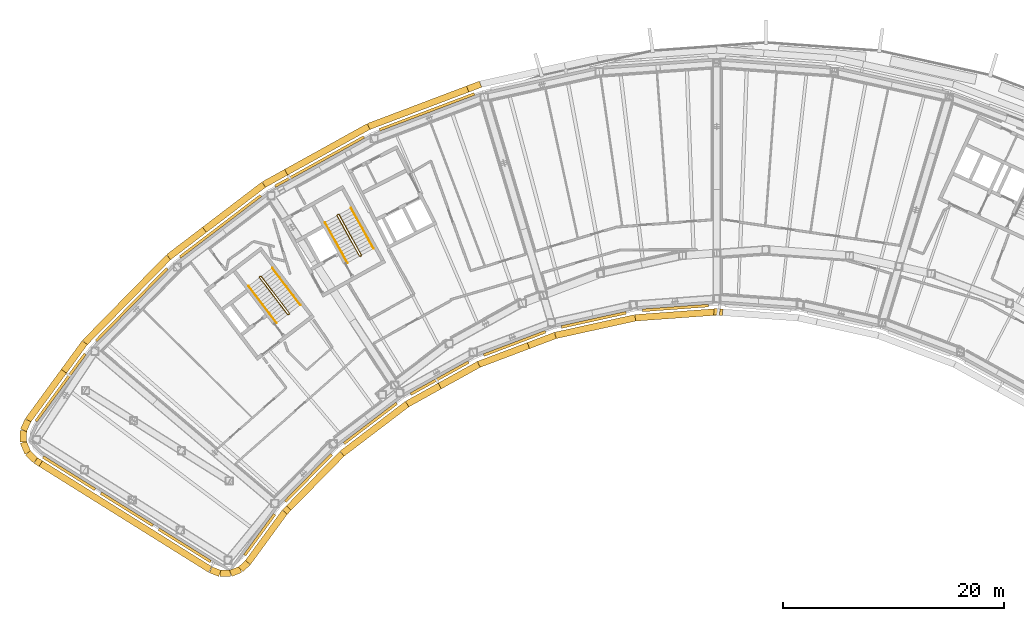
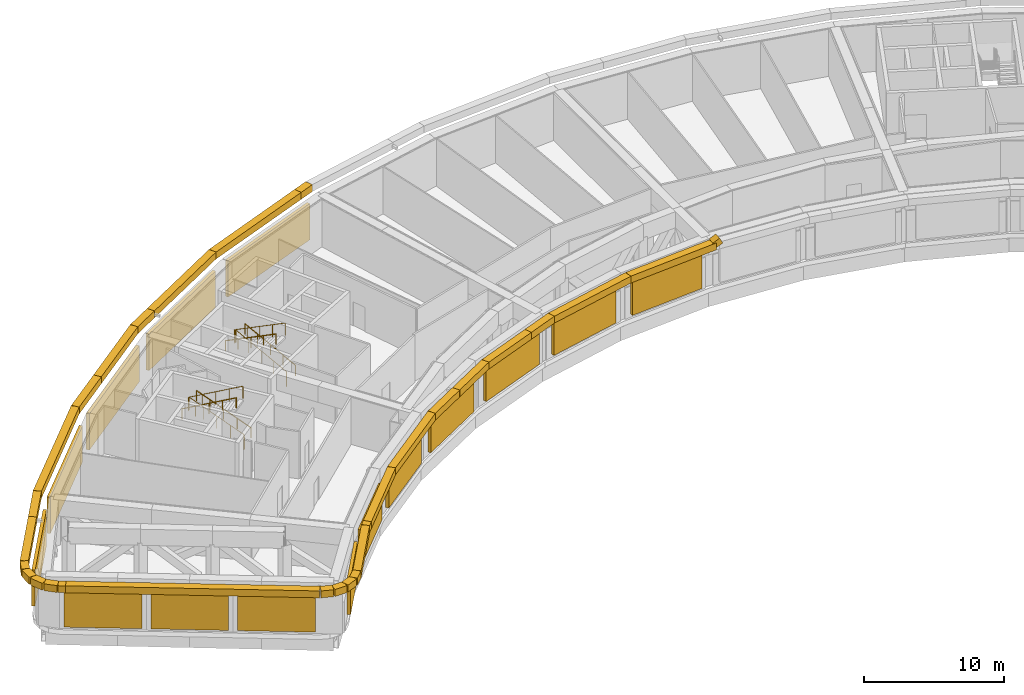
# One storey, part 21 of 25: 30 coverings, 15 shading devices, 6 railings.
"""IFC4 building model written with IfcOpenShell, lengths in metres."""

from ifc_helpers import new_model, si_unit, direction, frame, origin, origin_2d, place, context, subcontext, project, spatial, rectangle, circle, extrude, material, material_profile, profile_set, type_object, element, save


model = new_model("IFC4")

# Units and contexts
model_context = context("Model", 3, precision=1e-05, world=origin(), true_north=direction((0.0, 1.0)))
body_context = subcontext(model_context, "Body", "Model", "MODEL_VIEW")
ifc_project = project(units=[si_unit("LENGTHUNIT", "METRE"), si_unit("AREAUNIT", "SQUARE_METRE"), si_unit("VOLUMEUNIT", "CUBIC_METRE"), si_unit("PLANEANGLEUNIT", "RADIAN"), si_unit("MASSUNIT", "GRAM", prefix="KILO")], contexts=[model_context])

# Site, building, storey
site_placement = place(None, origin())
site = spatial("IfcSite", under=ifc_project, at=site_placement, CompositionType="ELEMENT")
building_placement = place(site_placement, origin())
building = spatial("IfcBuilding", under=site, at=building_placement, Name="Tuul Gate Civic Tower", CompositionType="ELEMENT")
storey_placement = place(building_placement, frame((0.0, 0.0, 133.699951171875)))
storey = spatial("IfcBuildingStorey", under=building, at=storey_placement, Name="Plant and refuge floor 4", CompositionType="ELEMENT", Elevation=133.699951171875)

# Shading devices
ifc_material_1 = material(Name="Aluminium louvre", Category="aluminium")
shading_device_type = type_object("IfcShadingDeviceType", Name="Louvre panel", PredefinedType="USERDEFINED", material=ifc_material_1)
for number, where, z_axis, x_axis, name in (
    (1, (-20.899169921875, 4.81201171875, 0.300048828125), (0.0, 0.0, 1.0), (-0.35373363489, 0.935346200905, 0.0), "Louvre panel"),
    (2, (-30.6376953125, 0.30029296875, 0.300048828125), (0.0, 0.0, 1.0), (-0.48478912347, 0.874631068374, 0.0), "Louvre panel"),
    (3, (-39.624267578125, -5.567626953125, 0.300048828125), (0.0, 0.0, 1.0), (-0.605807600786, 0.795611180684, 0.0), "Louvre panel"),
    (4, (-47.671142578125, -12.6689453125, 0.300048828125), (0.0, 0.0, 1.0), (-0.714100212908, 0.700043488595, 0.0), "Louvre panel"),
):
    element("IfcShadingDevice", number, at=place(storey_placement, frame(where, z_axis=z_axis, x_axis=x_axis)), inside=storey, type_object=shading_device_type, Name=name, ObjectType="LOUVRE", PredefinedType="USERDEFINED", context=body_context, shape_type="SweptSolid", body=[
        extrude(rectangle(XDim=0.25, YDim=9.199951171875, at=origin_2d()), origin(), (0.0, 0.0, 1.0), 3.14990234375),
    ])
shading_device_1_placement = place(storey_placement, frame((-54.112548828125, -20.174072265625, 0.300048828125), z_axis=(0.0, 0.0, 1.0), x_axis=(-0.807578487079, 0.589760109881, 0.0)))
element("IfcShadingDevice", 5, at=shading_device_1_placement, inside=storey, type_object=shading_device_type, Name="Louvre panel", ObjectType="LOUVRE", PredefinedType="USERDEFINED", context=body_context, shape_type="SweptSolid", body=[
    extrude(rectangle(XDim=0.25, YDim=7.550048828125, at=origin_2d()), origin(), (0.0, 0.0, 1.0), 3.14990234375),
])
for number, where, z_axis, x_axis, name in (
    (6, (-53.34765625, -27.944091796875, 0.300048828125), (0.0, 0.0, 1.0), (-0.529911707044, -0.848052818366, 0.0), "Louvre panel"),
    (7, (-48.104248046875, -31.220458984375, 0.300048828125), (0.0, 0.0, 1.0), (-0.529911707044, -0.848052818366, 0.0), "Louvre panel"),
    (8, (-42.86083984375, -34.496826171875, 0.300048828125), (0.0, 0.0, 1.0), (-0.529911707044, -0.848052818366, 0.0), "Louvre panel"),
):
    element("IfcShadingDevice", number, at=place(storey_placement, frame(where, z_axis=z_axis, x_axis=x_axis)), inside=storey, type_object=shading_device_type, Name=name, ObjectType="LOUVRE", PredefinedType="USERDEFINED", context=body_context, shape_type="SweptSolid", body=[
        extrude(rectangle(XDim=0.25, YDim=5.550048828125, at=origin_2d()), origin(), (0.0, 0.0, 1.0), 3.14990234375),
    ])
shading_device_2_placement = place(storey_placement, frame((-36.062255859375, -33.52392578125, 0.300048828125), z_axis=(0.0, 0.0, 1.0), x_axis=(0.807595190444, -0.589737236717, 0.0)))
element("IfcShadingDevice", 9, at=shading_device_2_placement, inside=storey, type_object=shading_device_type, Name="Louvre panel", ObjectType="LOUVRE", PredefinedType="USERDEFINED", context=body_context, shape_type="SweptSolid", body=[
    extrude(rectangle(XDim=0.25, YDim=4.60009765625, at=origin_2d()), origin(), (0.0, 0.0, 1.0), 3.14990234375),
])
for number, where, z_axis, x_axis, name in (
    (10, (-31.63916015625, -28.385009765625, 0.300048828125), (0.0, 0.0, 1.0), (0.714113208541, -0.700030231767, 0.0), "Louvre panel"),
    (11, (-26.024169921875, -23.429443359375, 0.300048828125), (0.0, 0.0, 1.0), (0.605851052715, -0.795578092914, 0.0), "Louvre panel"),
    (12, (-19.75390625, -19.334716796875, 0.300048828125), (0.0, 0.0, 1.0), (0.48480794476, -0.874620635875, 0.0), "Louvre panel"),
    (13, (-12.958740234375, -16.18701171875, 0.300048828125), (0.0, 0.0, 1.0), (0.353684769481, -0.935364679597, 0.0), "Louvre panel"),
    (14, (-5.781005859375, -14.051025390625, 0.300048828125), (0.0, 0.0, 1.0), (0.215241961183, -0.976560749849, 0.0), "Louvre panel"),
    (15, (1.629638671875, -12.9716796875, 0.300048828125), (0.0, 0.0, 1.0), (0.072276176045, -0.997384657179, 0.0), "Louvre panel"),
):
    element("IfcShadingDevice", number, at=place(storey_placement, frame(where, z_axis=z_axis, x_axis=x_axis)), inside=storey, type_object=shading_device_type, Name=name, ObjectType="LOUVRE", PredefinedType="USERDEFINED", context=body_context, shape_type="SweptSolid", body=[
        extrude(rectangle(XDim=0.25, YDim=6.0, at=origin_2d()), origin(), (0.0, 0.0, 1.0), 3.14990234375),
    ])

# Railings
ifc_material_2 = material(Name="Painted steel", Category="steel")
railing_type_1 = type_object("IfcRailingType", Name="Stair guard", PredefinedType="GUARDRAIL", material=ifc_material_2)
railing_1_placement = place(storey_placement, frame((-33.382080078125, -13.515380859375, 0.0)))
element("IfcRailing", 16, at=railing_1_placement, inside=storey, type_object=railing_type_1, Name="Plant and refuge floor 4 ST-1 stair guard 1", PredefinedType="GUARDRAIL", context=body_context, shape_type="SweptSolid", body=[
    extrude(circle(Radius=0.02392578125, at=origin_2d()), frame((0.0, 0.0, 1.076171875), z_axis=(-0.795879841968, -0.605454603706, 0.0), x_axis=(0.605454603706, -0.795879841968, 0.0)), (0.0, 0.0, 1.0), 0.10009765625),
    extrude(circle(Radius=0.02392578125, at=origin_2d()), frame((-0.07958984375, -0.060546875, 1.076171875), z_axis=(0.408676696321, 0.599019267211, 0.688592241747), x_axis=(-0.826063974707, 0.563576356576, 0.0)), (0.0, 0.0, 1.0), 0.218017578125),
    extrude(circle(Radius=0.02392578125, at=origin_2d()), frame((0.009521484375, 0.070068359375, 1.22607421875), z_axis=(-0.541829058468, 0.711641332238, 0.44720005104), x_axis=(-0.795633173153, -0.605778716842, 0.0)), (0.0, 0.0, 1.0), 4.695556640625),
    extrude(circle(Radius=0.02392578125, at=origin_2d()), frame((-2.53466796875, 3.41162109375, 3.326171875), z_axis=(-0.990893089246, 0.134650977284, 0.0), x_axis=(-0.134650977284, -0.990893089246, 0.0)), (0.0, 0.0, 1.0), 0.07080078125),
    extrude(circle(Radius=0.02392578125, at=origin_2d()), frame((-2.604736328125, 3.421142578125, 3.326171875), z_axis=(-0.795879841968, -0.605454603706, 0.0), x_axis=(0.605454603706, -0.795879841968, 0.0)), (0.0, 0.0, 1.0), 0.10009765625),
    extrude(circle(Radius=0.02392578125, at=origin_2d()), frame((-2.684326171875, 3.360595703125, 3.326171875), z_axis=(-0.057370624079, -0.422188951554, 0.904690610473), x_axis=(0.990893089246, -0.134650977284, 0.0)), (0.0, 0.0, 1.0), 0.166015625),
    extrude(circle(Radius=0.02392578125, at=origin_2d()), frame((-2.69384765625, 3.29052734375, 3.47607421875), z_axis=(0.541829058468, -0.711641332238, 0.44720005104), x_axis=(0.795633173153, 0.605778716842, 0.0)), (0.0, 0.0, 1.0), 4.695556640625),
    extrude(circle(Radius=0.02099609375, at=origin_2d()), origin(), (0.0, 0.0, 1.0), 1.052001953125),
    extrude(circle(Radius=0.02099609375, at=origin_2d()), frame((-0.07958984375, -0.060546875, 0.0)), (0.0, 0.0, 1.0), 1.052001953125),
    extrude(circle(Radius=0.02099609375, at=origin_2d()), frame((0.009521484375, 0.070068359375, 0.150146484375)), (0.0, 0.0, 1.0), 1.052001953125),
    extrude(circle(Radius=0.02099609375, at=origin_2d()), frame((-0.62646484375, 0.905517578125, 0.675048828125)), (0.0, 0.0, 1.0), 1.052001953125),
    extrude(circle(Radius=0.02099609375, at=origin_2d()), frame((-1.2626953125, 1.74072265625, 1.2001953125)), (0.0, 0.0, 1.0), 1.052001953125),
    extrude(circle(Radius=0.02099609375, at=origin_2d()), frame((-1.898681640625, 2.576171875, 1.72509765625)), (0.0, 0.0, 1.0), 1.052001953125),
    extrude(circle(Radius=0.02099609375, at=origin_2d()), frame((-2.53466796875, 3.41162109375, 2.25)), (0.0, 0.0, 1.0), 1.052001953125),
    extrude(circle(Radius=0.02099609375, at=origin_2d()), frame((-2.604736328125, 3.421142578125, 2.25)), (0.0, 0.0, 1.0), 1.052001953125),
    extrude(circle(Radius=0.02099609375, at=origin_2d()), frame((-2.684326171875, 3.360595703125, 2.25)), (0.0, 0.0, 1.0), 1.052001953125),
    extrude(circle(Radius=0.02099609375, at=origin_2d()), frame((-2.69384765625, 3.29052734375, 2.400146484375)), (0.0, 0.0, 1.0), 1.052001953125),
    extrude(circle(Radius=0.02099609375, at=origin_2d()), frame((-2.057861328125, 2.455078125, 2.925048828125)), (0.0, 0.0, 1.0), 1.052001953125),
    extrude(circle(Radius=0.02099609375, at=origin_2d()), frame((-1.421875, 1.61962890625, 3.4501953125)), (0.0, 0.0, 1.0), 1.052001953125),
    extrude(circle(Radius=0.02099609375, at=origin_2d()), frame((-0.78564453125, 0.784423828125, 3.97509765625)), (0.0, 0.0, 1.0), 1.052001953125),
    extrude(circle(Radius=0.02099609375, at=origin_2d()), frame((-0.149658203125, -0.051025390625, 4.5)), (0.0, 0.0, 1.0), 1.052001953125),
])
railing_2_placement = place(storey_placement, frame((-26.857666015625, -8.247314453125, 0.0)))
element("IfcRailing", 17, at=railing_2_placement, inside=storey, type_object=railing_type_1, Name="Plant and refuge floor 4 ST-2 stair guard 1", PredefinedType="GUARDRAIL", context=body_context, shape_type="SweptSolid", body=[
    extrude(circle(Radius=0.02392578125, at=origin_2d()), frame((0.0, 0.0, 1.076171875), z_axis=(-0.874616555828, -0.48481530532, 0.0), x_axis=(0.48481530532, -0.874616555828, 0.0)), (0.0, 0.0, 1.0), 0.10009765625),
    extrude(circle(Radius=0.02392578125, at=origin_2d()), frame((-0.087646484375, -0.048583984375, 1.076171875), z_axis=(0.490435707169, 0.534104639999, 0.688625479244), x_axis=(-0.736576986774, 0.676353711126, 0.0)), (0.0, 0.0, 1.0), 0.218017578125),
    extrude(circle(Radius=0.02392578125, at=origin_2d()), frame((0.019287109375, 0.06787109375, 1.22607421875), z_axis=(-0.433565959627, 0.782332053545, 0.447188010403), x_axis=(-0.874661316952, -0.484734546558, 0.0)), (0.0, 0.0, 1.0), 4.69580078125),
    extrude(circle(Radius=0.02392578125, at=origin_2d()), frame((-2.0166015625, 3.741455078125, 3.326171875), z_axis=(-0.961000426733, 0.276546885391, 0.0), x_axis=(-0.276546885391, -0.961000426733, 0.0)), (0.0, 0.0, 1.0), 0.070556640625),
    extrude(circle(Radius=0.02392578125, at=origin_2d()), frame((-2.08447265625, 3.760986328125, 3.326171875), z_axis=(-0.874616555828, -0.48481530532, 0.0), x_axis=(0.48481530532, -0.874616555828, 0.0)), (0.0, 0.0, 1.0), 0.10009765625),
    extrude(circle(Radius=0.02392578125, at=origin_2d()), frame((-2.172119140625, 3.71240234375, 3.326171875), z_axis=(-0.117709570447, -0.409040757305, 0.904892322815), x_axis=(0.961000426733, -0.276546885391, 0.0)), (0.0, 0.0, 1.0), 0.166015625),
    extrude(circle(Radius=0.02392578125, at=origin_2d()), frame((-2.191650390625, 3.64453125, 3.47607421875), z_axis=(0.433608177227, -0.782314417595, 0.447177929536), x_axis=(0.874636671229, 0.484779014956, 0.0)), (0.0, 0.0, 1.0), 4.69580078125),
    extrude(circle(Radius=0.02099609375, at=origin_2d()), origin(), (0.0, 0.0, 1.0), 1.052001953125),
    extrude(circle(Radius=0.02099609375, at=origin_2d()), frame((-0.087646484375, -0.048583984375, 0.0)), (0.0, 0.0, 1.0), 1.052001953125),
    extrude(circle(Radius=0.02099609375, at=origin_2d()), frame((0.019287109375, 0.06787109375, 0.150146484375)), (0.0, 0.0, 1.0), 1.052001953125),
    extrude(circle(Radius=0.02099609375, at=origin_2d()), frame((-0.48974609375, 0.986328125, 0.675048828125)), (0.0, 0.0, 1.0), 1.052001953125),
    extrude(circle(Radius=0.02099609375, at=origin_2d()), frame((-0.99853515625, 1.90478515625, 1.2001953125)), (0.0, 0.0, 1.0), 1.052001953125),
    extrude(circle(Radius=0.02099609375, at=origin_2d()), frame((-1.507568359375, 2.822998046875, 1.72509765625)), (0.0, 0.0, 1.0), 1.052001953125),
    extrude(circle(Radius=0.02099609375, at=origin_2d()), frame((-2.0166015625, 3.741455078125, 2.25)), (0.0, 0.0, 1.0), 1.052001953125),
    extrude(circle(Radius=0.02099609375, at=origin_2d()), frame((-2.08447265625, 3.760986328125, 2.25)), (0.0, 0.0, 1.0), 1.052001953125),
    extrude(circle(Radius=0.02099609375, at=origin_2d()), frame((-2.172119140625, 3.71240234375, 2.25)), (0.0, 0.0, 1.0), 1.052001953125),
    extrude(circle(Radius=0.02099609375, at=origin_2d()), frame((-2.191650390625, 3.64453125, 2.400146484375)), (0.0, 0.0, 1.0), 1.052001953125),
    extrude(circle(Radius=0.02099609375, at=origin_2d()), frame((-1.6826171875, 2.72607421875, 2.925048828125)), (0.0, 0.0, 1.0), 1.052001953125),
    extrude(circle(Radius=0.02099609375, at=origin_2d()), frame((-1.173583984375, 1.8076171875, 3.4501953125)), (0.0, 0.0, 1.0), 1.052001953125),
    extrude(circle(Radius=0.02099609375, at=origin_2d()), frame((-0.66455078125, 0.889404296875, 3.97509765625)), (0.0, 0.0, 1.0), 1.052001953125),
    extrude(circle(Radius=0.02099609375, at=origin_2d()), frame((-0.155517578125, -0.029052734375, 4.5)), (0.0, 0.0, 1.0), 1.052001953125),
])
ifc_material_3 = material(Name="Painted steel", Category="steel")
railing_type_2 = type_object("IfcRailingType", Name="Stair handrail", PredefinedType="HANDRAIL", material=ifc_material_3)
railing_3_placement = place(storey_placement, frame((-32.3779296875, -12.688232421875, 0.150146484375)))
element("IfcRailing", 18, at=railing_3_placement, inside=storey, type_object=railing_type_2, Name="Plant and refuge floor 4 ST-1 stair handrail 1", PredefinedType="HANDRAIL", context=body_context, shape_type="SweptSolid", body=[
    extrude(circle(Radius=0.02392578125, at=origin_2d()), frame((0.0, 0.0, 0.8759765625), z_axis=(-0.541809010604, 0.711666993297, 0.447183504482), x_axis=(-0.795654503725, -0.605750700125, 0.0)), (0.0, 0.0, 1.0), 4.69580078125),
    extrude(circle(Radius=0.02099609375, at=origin_2d()), origin(), (0.0, 0.0, 1.0), 0.851806640625),
    extrude(circle(Radius=0.02099609375, at=origin_2d()), frame((-0.635986328125, 0.83544921875, 0.52490234375)), (0.0, 0.0, 1.0), 0.851806640625),
    extrude(circle(Radius=0.02099609375, at=origin_2d()), frame((-1.27197265625, 1.6708984375, 1.0498046875)), (0.0, 0.0, 1.0), 0.851806640625),
    extrude(circle(Radius=0.02099609375, at=origin_2d()), frame((-1.908203125, 2.50634765625, 1.574951171875)), (0.0, 0.0, 1.0), 0.851806640625),
    extrude(circle(Radius=0.02099609375, at=origin_2d()), frame((-2.544189453125, 3.341796875, 2.099853515625)), (0.0, 0.0, 1.0), 0.851806640625),
])
railing_4_placement = place(storey_placement, frame((-37.0703125, -10.98193359375, 2.400146484375)))
element("IfcRailing", 19, at=railing_4_placement, inside=storey, type_object=railing_type_2, Name="Plant and refuge floor 4 ST-1 stair handrail 2", PredefinedType="HANDRAIL", context=body_context, shape_type="SweptSolid", body=[
    extrude(circle(Radius=0.02392578125, at=origin_2d()), frame((0.0, 0.0, 0.8759765625), z_axis=(0.541809010604, -0.711666993297, 0.447183504482), x_axis=(0.795654503725, 0.605750700125, 0.0)), (0.0, 0.0, 1.0), 4.69580078125),
    extrude(circle(Radius=0.02099609375, at=origin_2d()), origin(), (0.0, 0.0, 1.0), 0.851806640625),
    extrude(circle(Radius=0.02099609375, at=origin_2d()), frame((0.635986328125, -0.83544921875, 0.52490234375)), (0.0, 0.0, 1.0), 0.851806640625),
    extrude(circle(Radius=0.02099609375, at=origin_2d()), frame((1.27197265625, -1.6708984375, 1.0498046875)), (0.0, 0.0, 1.0), 0.851806640625),
    extrude(circle(Radius=0.02099609375, at=origin_2d()), frame((1.908203125, -2.50634765625, 1.574951171875)), (0.0, 0.0, 1.0), 0.851806640625),
    extrude(circle(Radius=0.02099609375, at=origin_2d()), frame((2.544189453125, -3.341796875, 2.099853515625)), (0.0, 0.0, 1.0), 0.851806640625),
])
railing_5_placement = place(storey_placement, frame((-25.744873046875, -7.573486328125, 0.150146484375)))
element("IfcRailing", 20, at=railing_5_placement, inside=storey, type_object=railing_type_2, Name="Plant and refuge floor 4 ST-2 stair handrail 1", PredefinedType="HANDRAIL", context=body_context, shape_type="SweptSolid", body=[
    extrude(circle(Radius=0.02392578125, at=origin_2d()), frame((0.0, 0.0, 0.8759765625), z_axis=(-0.433608177227, 0.782314417595, 0.447177929536), x_axis=(-0.874636671229, -0.484779014956, 0.0)), (0.0, 0.0, 1.0), 4.69580078125),
    extrude(circle(Radius=0.02099609375, at=origin_2d()), origin(), (0.0, 0.0, 1.0), 0.851806640625),
    extrude(circle(Radius=0.02099609375, at=origin_2d()), frame((-0.509033203125, 0.91845703125, 0.52490234375)), (0.0, 0.0, 1.0), 0.851806640625),
    extrude(circle(Radius=0.02099609375, at=origin_2d()), frame((-1.01806640625, 1.8369140625, 1.0498046875)), (0.0, 0.0, 1.0), 0.851806640625),
    extrude(circle(Radius=0.02099609375, at=origin_2d()), frame((-1.527099609375, 2.755126953125, 1.574951171875)), (0.0, 0.0, 1.0), 0.851806640625),
    extrude(circle(Radius=0.02099609375, at=origin_2d()), frame((-2.0361328125, 3.673583984375, 2.099853515625)), (0.0, 0.0, 1.0), 0.851806640625),
])
railing_6_placement = place(storey_placement, frame((-30.142578125, -5.208740234375, 2.400146484375)))
element("IfcRailing", 21, at=railing_6_placement, inside=storey, type_object=railing_type_2, Name="Plant and refuge floor 4 ST-2 stair handrail 2", PredefinedType="HANDRAIL", context=body_context, shape_type="SweptSolid", body=[
    extrude(circle(Radius=0.02392578125, at=origin_2d()), frame((0.0, 0.0, 0.8759765625), z_axis=(0.433608177227, -0.782314417595, 0.447177929536), x_axis=(0.874636671229, 0.484779014956, 0.0)), (0.0, 0.0, 1.0), 4.69580078125),
    extrude(circle(Radius=0.02099609375, at=origin_2d()), origin(), (0.0, 0.0, 1.0), 0.851806640625),
    extrude(circle(Radius=0.02099609375, at=origin_2d()), frame((0.509033203125, -0.91845703125, 0.52490234375)), (0.0, 0.0, 1.0), 0.851806640625),
    extrude(circle(Radius=0.02099609375, at=origin_2d()), frame((1.01806640625, -1.8369140625, 1.0498046875)), (0.0, 0.0, 1.0), 0.851806640625),
    extrude(circle(Radius=0.02099609375, at=origin_2d()), frame((1.527099609375, -2.755126953125, 1.574951171875)), (0.0, 0.0, 1.0), 0.851806640625),
    extrude(circle(Radius=0.02099609375, at=origin_2d()), frame((2.0361328125, -3.673583984375, 2.099853515625)), (0.0, 0.0, 1.0), 0.851806640625),
])

# Coverings
ifc_material_4 = material(Name="Terracotta baguette", Category="masonry")
ifc_material_profile = material_profile(ifc_material_4, rectangle(XDim=0.60009765625, YDim=0.60009765625, at=origin_2d()), Name="Terracotta baguette screen frame")
ifc_profile_set = profile_set([ifc_material_profile], Name="Terracotta baguette")
covering_type = type_object("IfcCoveringType", Name="Terracotta baguette screen frame", PredefinedType="CLADDING", material=ifc_profile_set)
covering_1_placement = place(storey_placement, frame((-16.04541015625, 7.315673828125, 4.150146484375), z_axis=(-0.935336979546, -0.353758017144, 0.0), x_axis=(0.353758017144, -0.935336979546, 0.0)))
element("IfcCovering", 22, at=covering_1_placement, inside=storey, type_object=covering_type, Name="Baguette 88", PredefinedType="CLADDING", context=body_context, shape_type="SweptSolid", body=[
    extrude(rectangle(XDim=0.60009765625, YDim=0.60009765625, at=origin_2d()), origin(), (0.0, 0.0, 1.0), 1.24853515625),
])
covering_2_placement = place(storey_placement, frame((-33.666259765625, -0.663818359375, 4.150146484375), z_axis=(-0.874610686965, -0.484825892714, 0.0), x_axis=(0.484825892714, -0.874610686965, 0.0)))
element("IfcCovering", 23, at=covering_2_placement, inside=storey, type_object=covering_type, Name="Baguette 105", PredefinedType="CLADDING", context=body_context, shape_type="SweptSolid", body=[
    extrude(rectangle(XDim=0.60009765625, YDim=0.60009765625, at=origin_2d()), origin(), (0.0, 0.0, 1.0), 2.309326171875),
])
covering_3_placement = place(storey_placement, frame((-35.68603515625, -1.783447265625, 4.150146484375), z_axis=(-0.795612332885, -0.60580608759, 0.0), x_axis=(0.60580608759, -0.795612332885, 0.0)))
element("IfcCovering", 24, at=covering_3_placement, inside=storey, type_object=covering_type, Name="Baguette 106", PredefinedType="CLADDING", context=body_context, shape_type="SweptSolid", body=[
    extrude(rectangle(XDim=0.60009765625, YDim=0.60009765625, at=origin_2d()), origin(), (0.0, 0.0, 1.0), 6.76318359375),
])
covering_4_placement = place(storey_placement, frame((-53.81591796875, -18.7080078125, 4.150146484375), z_axis=(-0.589768947731, -0.807572032881, 0.0), x_axis=(0.807572032881, -0.589768947731, 0.0)))
element("IfcCovering", 25, at=covering_4_placement, inside=storey, type_object=covering_type, Name="Baguette 129", PredefinedType="CLADDING", context=body_context, shape_type="SweptSolid", body=[
    extrude(rectangle(XDim=0.60009765625, YDim=0.60009765625, at=origin_2d()), origin(), (0.0, 0.0, 1.0), 5.5126953125),
])
covering_5_placement = place(storey_placement, frame((-57.067138671875, -23.159912109375, 4.150146484375), z_axis=(-0.413393330634, -0.910552554325, 0.0), x_axis=(0.910552554325, -0.413393330634, 0.0)))
element("IfcCovering", 26, at=covering_5_placement, inside=storey, type_object=covering_type, Name="Baguette 130", PredefinedType="CLADDING", context=body_context, shape_type="SweptSolid", body=[
    extrude(rectangle(XDim=0.60009765625, YDim=0.60009765625, at=origin_2d()), origin(), (0.0, 0.0, 1.0), 0.988037109375),
])
covering_6_placement = place(storey_placement, frame((-57.4755859375, -24.0595703125, 4.150146484375), z_axis=(-0.014633694716, -0.999892921757, 0.0), x_axis=(0.999892921757, -0.014633694716, 0.0)))
element("IfcCovering", 27, at=covering_6_placement, inside=storey, type_object=covering_type, Name="Baguette 131", PredefinedType="CLADDING", context=body_context, shape_type="SweptSolid", body=[
    extrude(rectangle(XDim=0.60009765625, YDim=0.60009765625, at=origin_2d()), origin(), (0.0, 0.0, 1.0), 1.067626953125),
])
covering_7_placement = place(storey_placement, frame((-57.4912109375, -25.127197265625, 4.150146484375), z_axis=(0.385784883999, -0.922588761734, 0.0), x_axis=(0.922588761734, 0.385784883999, 0.0)))
element("IfcCovering", 28, at=covering_7_placement, inside=storey, type_object=covering_type, Name="Baguette 132", PredefinedType="CLADDING", context=body_context, shape_type="SweptSolid", body=[
    extrude(rectangle(XDim=0.60009765625, YDim=0.60009765625, at=origin_2d()), origin(), (0.0, 0.0, 1.0), 1.06689453125),
])
covering_8_placement = place(storey_placement, frame((-57.07958984375, -26.111572265625, 4.150146484375), z_axis=(0.722137314744, -0.691749737011, 0.0), x_axis=(0.691749737011, 0.722137314744, 0.0)))
element("IfcCovering", 29, at=covering_8_placement, inside=storey, type_object=covering_type, Name="Baguette 133", PredefinedType="CLADDING", context=body_context, shape_type="SweptSolid", body=[
    extrude(rectangle(XDim=0.60009765625, YDim=0.60009765625, at=origin_2d()), origin(), (0.0, 0.0, 1.0), 0.98828125),
])
covering_9_placement = place(storey_placement, frame((-56.365966796875, -26.795166015625, 4.150146484375), z_axis=(0.84817691288, -0.529713058606, 0.0), x_axis=(0.529713058606, 0.84817691288, 0.0)))
element("IfcCovering", 30, at=covering_9_placement, inside=storey, type_object=covering_type, Name="Baguette 134", PredefinedType="CLADDING", context=body_context, shape_type="SweptSolid", body=[
    extrude(rectangle(XDim=0.60009765625, YDim=0.60009765625, at=origin_2d()), origin(), (0.0, 0.0, 1.0), 0.537353515625),
])
covering_10_placement = place(storey_placement, frame((-40.5107421875, -36.702392578125, 4.150146484375), z_axis=(0.93189278144, -0.362733847194, 0.0), x_axis=(0.362733847194, 0.93189278144, 0.0)))
element("IfcCovering", 31, at=covering_10_placement, inside=storey, type_object=covering_type, Name="Baguette 158", PredefinedType="CLADDING", context=body_context, shape_type="SweptSolid", body=[
    extrude(rectangle(XDim=0.60009765625, YDim=0.60009765625, at=origin_2d()), origin(), (0.0, 0.0, 1.0), 0.901123046875),
])
covering_11_placement = place(storey_placement, frame((-39.6708984375, -37.029296875, 4.150146484375), z_axis=(0.999996192163, 0.002759648297, 0.0), x_axis=(-0.002759648297, 0.999996192163, 0.0)))
element("IfcCovering", 32, at=covering_11_placement, inside=storey, type_object=covering_type, Name="Baguette 159", PredefinedType="CLADDING", context=body_context, shape_type="SweptSolid", body=[
    extrude(rectangle(XDim=0.60009765625, YDim=0.60009765625, at=origin_2d()), origin(), (0.0, 0.0, 1.0), 0.97314453125),
])
covering_12_placement = place(storey_placement, frame((-38.69775390625, -37.026611328125, 4.150146484375), z_axis=(0.929647485715, 0.36845020329, 0.0), x_axis=(-0.36845020329, 0.929647485715, 0.0)))
element("IfcCovering", 33, at=covering_12_placement, inside=storey, type_object=covering_type, Name="Baguette 160", PredefinedType="CLADDING", context=body_context, shape_type="SweptSolid", body=[
    extrude(rectangle(XDim=0.60009765625, YDim=0.60009765625, at=origin_2d()), origin(), (0.0, 0.0, 1.0), 0.97412109375),
])
covering_13_placement = place(storey_placement, frame((-37.792236328125, -36.667724609375, 4.150146484375), z_axis=(0.730001285686, 0.683445771731, 0.0), x_axis=(-0.683445771731, 0.730001285686, 0.0)))
element("IfcCovering", 34, at=covering_13_placement, inside=storey, type_object=covering_type, Name="Baguette 161", PredefinedType="CLADDING", context=body_context, shape_type="SweptSolid", body=[
    extrude(rectangle(XDim=0.60009765625, YDim=0.60009765625, at=origin_2d()), origin(), (0.0, 0.0, 1.0), 0.902099609375),
])
covering_14_placement = place(storey_placement, frame((-37.1337890625, -36.05126953125, 4.150146484375), z_axis=(0.589729447422, 0.807600878432, 0.0), x_axis=(-0.807600878432, 0.589729447422, 0.0)))
element("IfcCovering", 35, at=covering_14_placement, inside=storey, type_object=covering_type, Name="Baguette 162", PredefinedType="CLADDING", context=body_context, shape_type="SweptSolid", body=[
    extrude(rectangle(XDim=0.60009765625, YDim=0.60009765625, at=origin_2d()), origin(), (0.0, 0.0, 1.0), 5.671142578125),
])
covering_15_placement = place(storey_placement, frame((-33.789306640625, -31.47119140625, 4.150146484375), z_axis=(0.69989931795, 0.714241517088, 0.0), x_axis=(-0.714241517088, 0.69989931795, 0.0)))
element("IfcCovering", 36, at=covering_15_placement, inside=storey, type_object=covering_type, Name="Baguette 163", PredefinedType="CLADDING", context=body_context, shape_type="SweptSolid", body=[
    extrude(rectangle(XDim=0.60009765625, YDim=0.60009765625, at=origin_2d()), origin(), (0.0, 0.0, 1.0), 0.5107421875),
])
covering_16_placement = place(storey_placement, frame((-19.739990234375, -20.041748046875, 4.150146484375), z_axis=(0.874618697284, 0.484811442069, 0.0), x_axis=(-0.484811442069, 0.874618697284, 0.0)))
element("IfcCovering", 37, at=covering_16_placement, inside=storey, type_object=covering_type, Name="Baguette 194", PredefinedType="CLADDING", context=body_context, shape_type="SweptSolid", body=[
    extrude(rectangle(XDim=0.60009765625, YDim=0.60009765625, at=origin_2d()), origin(), (0.0, 0.0, 1.0), 4.039794921875),
])
covering_17_placement = place(storey_placement, frame((-16.206787109375, -18.083251953125, 4.150146484375), z_axis=(0.935356130201, 0.353707378628, 0.0), x_axis=(-0.353707378628, 0.935356130201, 0.0)))
element("IfcCovering", 38, at=covering_17_placement, inside=storey, type_object=covering_type, Name="Baguette 195", PredefinedType="CLADDING", context=body_context, shape_type="SweptSolid", body=[
    extrude(rectangle(XDim=0.60009765625, YDim=0.60009765625, at=origin_2d()), origin(), (0.0, 0.0, 1.0), 4.812255859375),
])
covering_18_placement = place(storey_placement, frame((5.3740234375, -13.326904296875, 4.64892578125), z_axis=(0.464712879326, -0.03378155134, -0.884816787012), x_axis=(0.072502073076, 0.997368261677, 0.0)))
element("IfcCovering", 39, at=covering_18_placement, inside=storey, type_object=covering_type, Name="Baguette 213", PredefinedType="CLADDING", context=body_context, shape_type="SweptSolid", body=[
    extrude(rectangle(XDim=0.60009765625, YDim=0.60009765625, at=origin_2d()), origin(), (0.0, 0.0, 1.0), 0.563720703125),
])
covering_19_placement = place(storey_placement, frame((-17.213134765625, 6.8740234375, 4.150146484375), z_axis=(-0.935349696877, -0.353724390667, 0.0), x_axis=(0.353724390667, -0.935349696877, 0.0)))
element("IfcCovering", 40, at=covering_19_placement, inside=storey, type_object=covering_type, Name="Baguette 389", PredefinedType="CLADDING", context=body_context, shape_type="SweptSolid", body=[
    extrude(rectangle(XDim=0.60009765625, YDim=0.60009765625, at=origin_2d()), origin(), (0.0, 0.0, 1.0), 9.602783203125),
])
covering_20_placement = place(storey_placement, frame((-26.195068359375, 3.477294921875, 4.150146484375), z_axis=(-0.874631408873, -0.48478850916, 0.0), x_axis=(0.48478850916, -0.874631408873, 0.0)))
element("IfcCovering", 41, at=covering_20_placement, inside=storey, type_object=covering_type, Name="Baguette 390", PredefinedType="CLADDING", context=body_context, shape_type="SweptSolid", body=[
    extrude(rectangle(XDim=0.60009765625, YDim=0.60009765625, at=origin_2d()), origin(), (0.0, 0.0, 1.0), 8.5419921875),
])
covering_21_placement = place(storey_placement, frame((-41.06689453125, -5.880615234375, 4.150146484375), z_axis=(-0.795629082913, -0.605784088949, 0.0), x_axis=(0.605784088949, -0.795629082913, 0.0)))
element("IfcCovering", 42, at=covering_21_placement, inside=storey, type_object=covering_type, Name="Baguette 391", PredefinedType="CLADDING", context=body_context, shape_type="SweptSolid", body=[
    extrude(rectangle(XDim=0.60009765625, YDim=0.60009765625, at=origin_2d()), origin(), (0.0, 0.0, 1.0), 4.088134765625),
])
covering_22_placement = place(storey_placement, frame((-44.319580078125, -8.357177734375, 4.150146484375), z_axis=(-0.700040591401, -0.714103053061, 0.0), x_axis=(0.714103053061, -0.700040591401, 0.0)))
element("IfcCovering", 43, at=covering_22_placement, inside=storey, type_object=covering_type, Name="Baguette 392", PredefinedType="CLADDING", context=body_context, shape_type="SweptSolid", body=[
    extrude(rectangle(XDim=0.60009765625, YDim=0.60009765625, at=origin_2d()), origin(), (0.0, 0.0, 1.0), 10.850830078125),
])
covering_23_placement = place(storey_placement, frame((-51.91552734375, -16.105712890625, 4.150146484375), z_axis=(-0.589756312173, -0.807581260464, 0.0), x_axis=(0.807581260464, -0.589756312173, 0.0)))
element("IfcCovering", 44, at=covering_23_placement, inside=storey, type_object=covering_type, Name="Baguette 393", PredefinedType="CLADDING", context=body_context, shape_type="SweptSolid", body=[
    extrude(rectangle(XDim=0.60009765625, YDim=0.60009765625, at=origin_2d()), origin(), (0.0, 0.0, 1.0), 3.222412109375),
])
covering_24_placement = place(storey_placement, frame((-55.91015625, -27.079833984375, 4.150146484375), z_axis=(0.848049052876, -0.529917733159, 0.0), x_axis=(0.529917733159, 0.848049052876, 0.0)))
element("IfcCovering", 45, at=covering_24_placement, inside=storey, type_object=covering_type, Name="Baguette 394", PredefinedType="CLADDING", context=body_context, shape_type="SweptSolid", body=[
    extrude(rectangle(XDim=0.60009765625, YDim=0.60009765625, at=origin_2d()), origin(), (0.0, 0.0, 1.0), 18.1064453125),
])
covering_25_placement = place(storey_placement, frame((-33.431884765625, -31.1064453125, 4.150146484375), z_axis=(0.700038192613, 0.714105404603, 0.0), x_axis=(-0.714105404603, 0.700038192613, 0.0)))
element("IfcCovering", 46, at=covering_25_placement, inside=storey, type_object=covering_type, Name="Baguette 395", PredefinedType="CLADDING", context=body_context, shape_type="SweptSolid", body=[
    extrude(rectangle(XDim=0.60009765625, YDim=0.60009765625, at=origin_2d()), origin(), (0.0, 0.0, 1.0), 6.907470703125),
])
covering_26_placement = place(storey_placement, frame((-28.596435546875, -26.173828125, 4.150146484375), z_axis=(0.795582797942, 0.60584487422, 0.0), x_axis=(-0.60584487422, 0.795582797942, 0.0)))
element("IfcCovering", 47, at=covering_26_placement, inside=storey, type_object=covering_type, Name="Baguette 396", PredefinedType="CLADDING", context=body_context, shape_type="SweptSolid", body=[
    extrude(rectangle(XDim=0.60009765625, YDim=0.60009765625, at=origin_2d()), origin(), (0.0, 0.0, 1.0), 7.41796875),
])
covering_27_placement = place(storey_placement, frame((-22.69482421875, -21.6796875, 4.150146484375), z_axis=(0.874613653783, 0.484820540629, 0.0), x_axis=(-0.484820540629, 0.874613653783, 0.0)))
element("IfcCovering", 48, at=covering_27_placement, inside=storey, type_object=covering_type, Name="Baguette 397", PredefinedType="CLADDING", context=body_context, shape_type="SweptSolid", body=[
    extrude(rectangle(XDim=0.60009765625, YDim=0.60009765625, at=origin_2d()), origin(), (0.0, 0.0, 1.0), 3.37841796875),
])
covering_28_placement = place(storey_placement, frame((-11.70556640625, -16.381103515625, 4.150146484375), z_axis=(0.935378435314, 0.353648388587, 0.0), x_axis=(-0.353648388587, 0.935378435314, 0.0)))
element("IfcCovering", 49, at=covering_28_placement, inside=storey, type_object=covering_type, Name="Baguette 398", PredefinedType="CLADDING", context=body_context, shape_type="SweptSolid", body=[
    extrude(rectangle(XDim=0.60009765625, YDim=0.60009765625, at=origin_2d()), origin(), (0.0, 0.0, 1.0), 2.60546875),
])
covering_29_placement = place(storey_placement, frame((-9.2685546875, -15.459716796875, 4.150146484375), z_axis=(0.976558886135, 0.215250416748, 0.0), x_axis=(-0.215250416748, 0.976558886135, 0.0)))
element("IfcCovering", 50, at=covering_29_placement, inside=storey, type_object=covering_type, Name="Baguette 399", PredefinedType="CLADDING", context=body_context, shape_type="SweptSolid", body=[
    extrude(rectangle(XDim=0.60009765625, YDim=0.60009765625, at=origin_2d()), origin(), (0.0, 0.0, 1.0), 7.417724609375),
])
covering_30_placement = place(storey_placement, frame((-2.024658203125, -13.863037109375, 4.150146484375), z_axis=(0.997384830366, 0.072273786091, 0.0), x_axis=(-0.072273786091, 0.997384830366, 0.0)))
element("IfcCovering", 51, at=covering_30_placement, inside=storey, type_object=covering_type, Name="Baguette 400", PredefinedType="CLADDING", context=body_context, shape_type="SweptSolid", body=[
    extrude(rectangle(XDim=0.60009765625, YDim=0.60009765625, at=origin_2d()), origin(), (0.0, 0.0, 1.0), 7.41796875),
])

save(model, "model.ifc")
